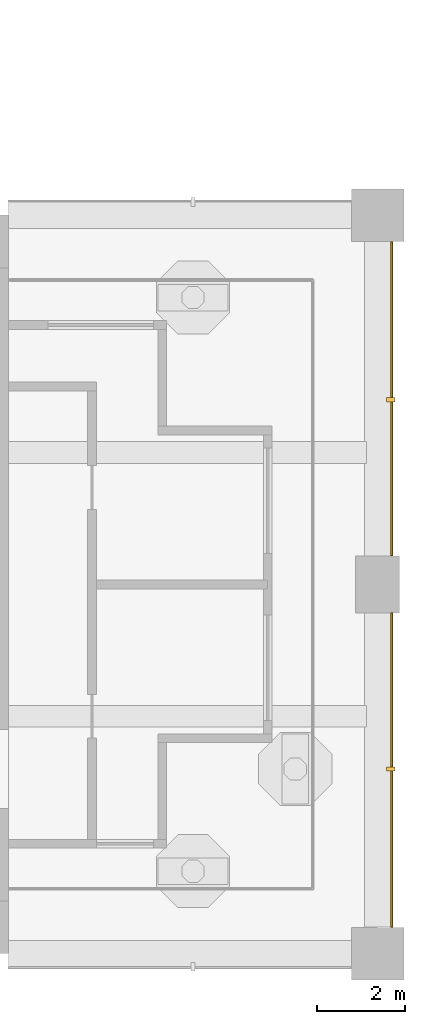
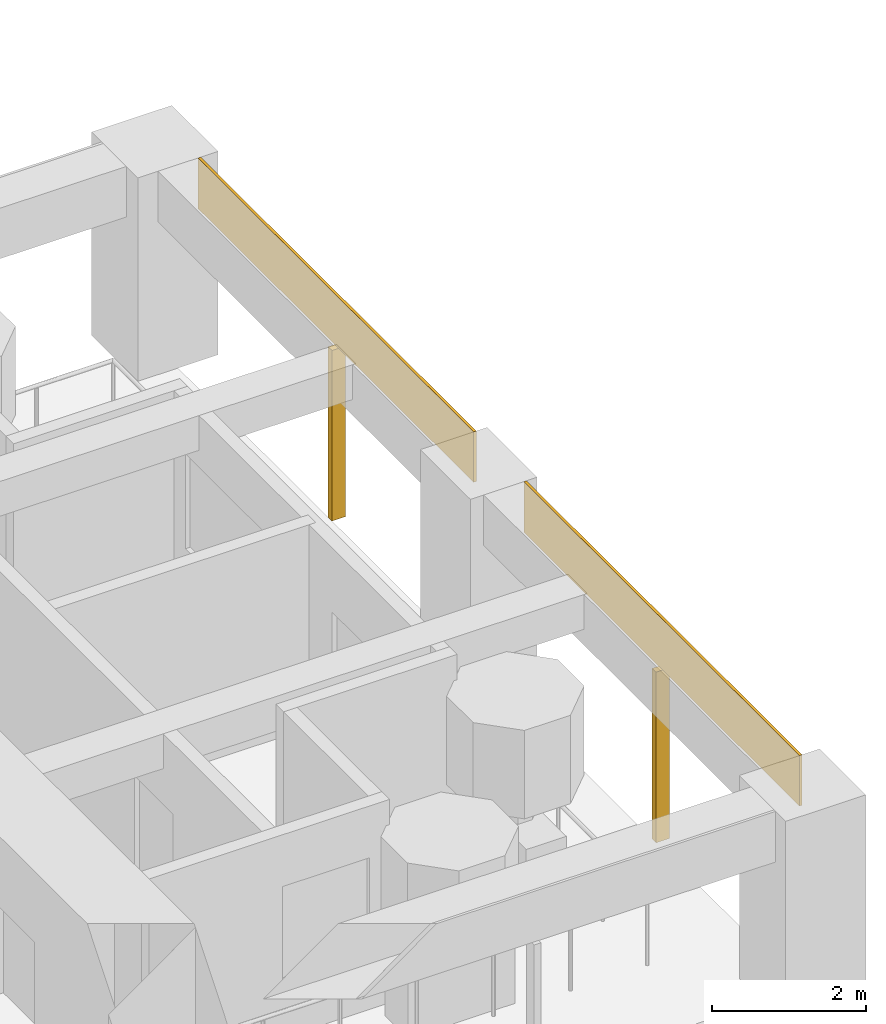
# One storey, part 15 of 18: 4 shading devices.
"""IFC4 building model written with IfcOpenShell, lengths in metres."""

from ifc_helpers import new_model, si_unit, direction, frame, origin, origin_2d, place, context, subcontext, project, spatial, rectangle, extrude, material, layer, layer_set, material_profile, profile_set, type_object, element, save


model = new_model("IFC4")

# Units and contexts
model_context = context("Model", 3, precision=1e-05, world=origin(), true_north=direction((0.0, 1.0)))
body_context = subcontext(model_context, "Body", "Model", "MODEL_VIEW")
ifc_project = project(units=[si_unit("LENGTHUNIT", "METRE"), si_unit("AREAUNIT", "SQUARE_METRE"), si_unit("VOLUMEUNIT", "CUBIC_METRE"), si_unit("PLANEANGLEUNIT", "RADIAN"), si_unit("MASSUNIT", "GRAM", prefix="KILO")], contexts=[model_context])

# Site, building, storey
site_placement = place(None, origin())
site = spatial("IfcSite", under=ifc_project, at=site_placement, CompositionType="ELEMENT")
building_placement = place(site_placement, origin())
building = spatial("IfcBuilding", under=site, at=building_placement, Name="Vermilion Gate Residences", CompositionType="ELEMENT")
storey_placement = place(building_placement, frame((0.0, 0.0, 88.199951171875)))
storey = spatial("IfcBuildingStorey", under=building, at=storey_placement, Name="L21", CompositionType="ELEMENT", Elevation=88.199951171875)

# Shading devices
ifc_material_1 = material(Name="Perforated terracotta", Category="masonry")
ifc_layer = layer(ifc_material_1, 0.0400390625)
ifc_layer_set = layer_set([ifc_layer], Name="PERFORATED TERRACOTTA SCREEN 40")
shading_device_type_1 = type_object("IfcShadingDeviceType", Name="PERFORATED TERRACOTTA SCREEN 40", PredefinedType="SHUTTER", material=ifc_layer_set)
for number, where, z_axis, x_axis, name in (
    (1, (67.52001953125, 12.574951171875, 2.419921875), (0.0, 0.0, 1.0), (0.0, 1.0, 0.0), "SCREEN"),
    (2, (67.52001953125, 21.02490234375, 2.419921875), (0.0, 0.0, 1.0), (0.0, 1.0, 0.0), "SCREEN"),
):
    element("IfcShadingDevice", number, at=place(storey_placement, frame(where, z_axis=z_axis, x_axis=x_axis)), inside=storey, type_object=shading_device_type_1, Name=name, PredefinedType="SHUTTER", context=body_context, shape_type="SweptSolid", body=[
        extrude(rectangle(XDim=7.14990234375, YDim=0.0400390625, at=origin_2d()), origin(), (0.0, 0.0, 1.0), 0.800048828125),
    ])
ifc_material_2 = material(Name="Extruded terracotta", Category="masonry")
ifc_material_profile = material_profile(ifc_material_2, rectangle(XDim=0.199951171875, YDim=0.10009765625, at=origin_2d()), Name="BAGUETTE 100 X 200")
ifc_profile_set = profile_set([ifc_material_profile], Name="Extruded terracotta")
shading_device_type_2 = type_object("IfcShadingDeviceType", Name="TERRACOTTA BAGUETTE 100 X 200", PredefinedType="JALOUSIE", material=ifc_profile_set)
for number, where, z_axis, x_axis, name in (
    (3, (67.5, 12.60009765625, -0.280029296875), (0.0, 0.0, 1.0), (-1.0, 0.0, 0.0), "BAGUETTE"),
    (4, (67.5, 21.0, -0.280029296875), (0.0, 0.0, 1.0), (-1.0, 0.0, 0.0), "BAGUETTE"),
):
    element("IfcShadingDevice", number, at=place(storey_placement, frame(where, z_axis=z_axis, x_axis=x_axis)), inside=storey, type_object=shading_device_type_2, Name=name, PredefinedType="JALOUSIE", context=body_context, shape_type="SweptSolid", body=[
        extrude(rectangle(XDim=0.199951171875, YDim=0.10009765625, at=origin_2d()), origin(), (0.0, 0.0, 1.0), 2.7001953125),
    ])

save(model, "model.ifc")
